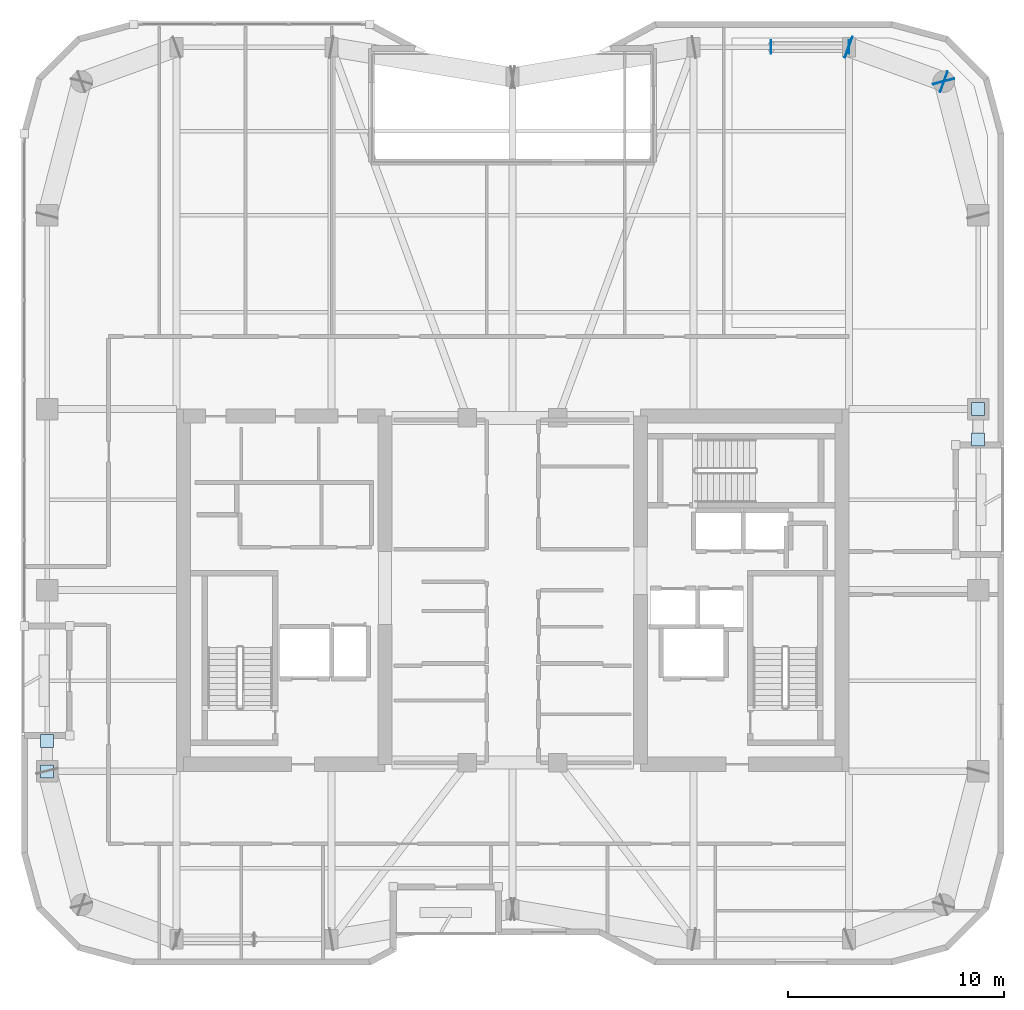
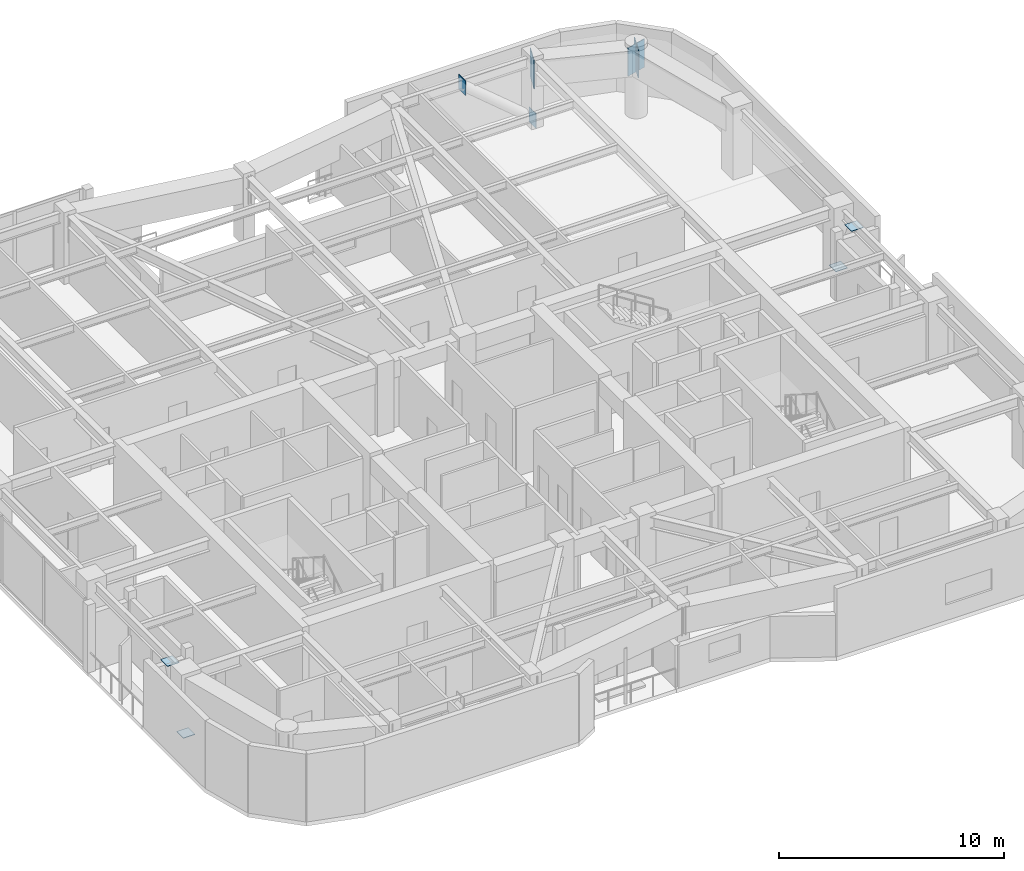
# One storey, part 14 of 22: 9 plates.
"""IFC4 building model written with IfcOpenShell, lengths in metres."""

from ifc_helpers import new_model, si_unit, direction, frame, origin, origin_2d, place, context, subcontext, project, spatial, rectangle, extrude, material, layer, layer_set, type_object, element, save


model = new_model("IFC4")

# Units and contexts
model_context = context("Model", 3, precision=1e-05, world=origin(), true_north=direction((0.0, 1.0)))
body_context = subcontext(model_context, "Body", "Model", "MODEL_VIEW")
ifc_project = project(units=[si_unit("LENGTHUNIT", "METRE"), si_unit("AREAUNIT", "SQUARE_METRE"), si_unit("VOLUMEUNIT", "CUBIC_METRE"), si_unit("PLANEANGLEUNIT", "RADIAN"), si_unit("MASSUNIT", "GRAM", prefix="KILO")], contexts=[model_context])

# Site, building, storey
site_placement = place(None, origin())
site = spatial("IfcSite", under=ifc_project, at=site_placement, CompositionType="ELEMENT")
building_placement = place(site_placement, origin())
building = spatial("IfcBuilding", under=site, at=building_placement, Name="Kiyonajd Concourse Tower", CompositionType="ELEMENT")
storey_placement = place(building_placement, frame((0.0, 0.0, 243.300048828125)))
storey = spatial("IfcBuildingStorey", under=building, at=storey_placement, Name="L61", CompositionType="ELEMENT", Elevation=243.300048828125)

# Plates
ifc_material = material(Name="Steel ASTM A572 Grade 50", Category="steel")
ifc_layer_1 = layer(ifc_material, 0.028076171875)
ifc_layer_set_1 = layer_set([ifc_layer_1], Name="Steel ASTM A572 Grade 50")
plate_type_1 = type_object("IfcPlateType", Name="PL-CAP-450", PredefinedType="USERDEFINED", material=ifc_layer_set_1)
for number, where, z_axis, x_axis, name in (
    (1, (63.6083984375, 61.199951171875, -0.10888671875), (0.0, 0.0, 1.0), (1.0, 0.0, 0.0), "L61 Hollow Brace End Cap Plate PBN"),
    (2, (59.99169921875, 61.199951171875, 2.93505859375), (0.0, 0.0, 1.0), (-1.0, 0.0, 0.0), "L61 Hollow Brace Top Cap Plate PBN"),
):
    element("IfcPlate", number, at=place(storey_placement, frame(where, z_axis=z_axis, x_axis=x_axis)), inside=storey, type_object=plate_type_1, Name=name, ObjectType="CAP PLATE", PredefinedType="USERDEFINED", context=body_context, shape_type="SweptSolid", body=[
        extrude(rectangle(XDim=0.035888671875, YDim=0.6279296875, at=origin_2d()), origin(), (0.0, 0.0, 1.0), 0.803955078125),
    ])
for number, where, z_axis, x_axis, name in (
    (3, (26.39990234375, 27.595458984375, 0.27587890625), (0.0, 0.0, 1.0), (1.0, 0.0, 0.0), "L61 Hollow Brace End Cap Plate PBW"),
    (4, (26.39990234375, 29.004638671875, 3.32568359375), (0.0, 0.0, 1.0), (1.0, 0.0, 0.0), "L61 Hollow Brace Top Cap Plate PBW"),
    (5, (69.60009765625, 44.404541015625, 0.27587890625), (0.0, 0.0, 1.0), (1.0, 0.0, 0.0), "L61 Hollow Brace End Cap Plate PBE"),
    (6, (69.60009765625, 42.995361328125, 3.32568359375), (0.0, 0.0, 1.0), (1.0, 0.0, 0.0), "L61 Hollow Brace Top Cap Plate PBE"),
):
    element("IfcPlate", number, at=place(storey_placement, frame(where, z_axis=z_axis, x_axis=x_axis)), inside=storey, type_object=plate_type_1, Name=name, ObjectType="CAP PLATE", PredefinedType="USERDEFINED", context=body_context, shape_type="SweptSolid", body=[
        extrude(rectangle(XDim=0.60791015625, YDim=0.60791015625, at=origin_2d()), origin(), (0.0, 0.0, 1.0), 0.028076171875),
    ])
ifc_layer_2 = layer(ifc_material, 0.031982421875)
ifc_layer_set_2 = layer_set([ifc_layer_2], Name="Steel ASTM A572 Grade 50")
plate_type_2 = type_object("IfcPlateType", Name="PL-CAP-540", PredefinedType="USERDEFINED", material=ifc_layer_set_2)
for number, where, z_axis, x_axis, name in (
    (7, (67.997314453125, 59.610595703125, 2.2099609375), (0.0, 0.0, 1.0), (-0.249873048837, 0.968278606324, 0.0), "L61 Welded Box Girder End Cap"),
    (8, (68.01025390625, 59.59619140625, 2.2099609375), (0.0, 0.0, 1.0), (0.939811951086, -0.341692107891, 0.0), "L61 Welded Box Girder End Cap"),
    (9, (63.589599609375, 61.203857421875, 2.2099609375), (0.0, 0.0, 1.0), (-0.939811951086, 0.341692107891, 0.0), "L61 Welded Box Girder End Cap"),
):
    element("IfcPlate", number, at=place(storey_placement, frame(where, z_axis=z_axis, x_axis=x_axis)), inside=storey, type_object=plate_type_2, Name=name, ObjectType="CAP PLATE", PredefinedType="USERDEFINED", context=body_context, shape_type="SweptSolid", body=[
        extrude(rectangle(XDim=0.035888671875, YDim=1.02001953125, at=origin_2d()), origin(), (0.0, 0.0, 1.0), 1.5400390625),
    ])

save(model, "model.ifc")
